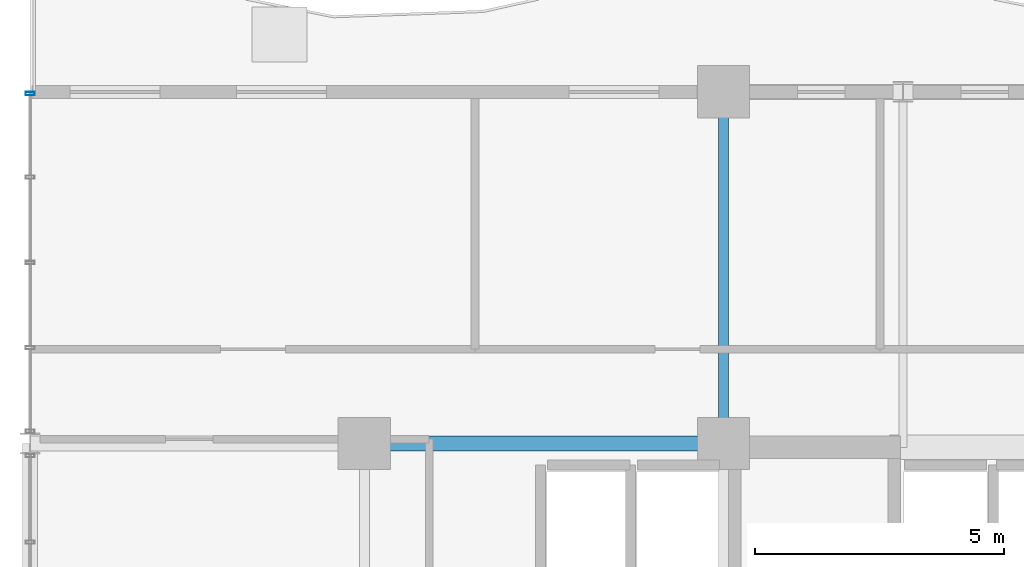
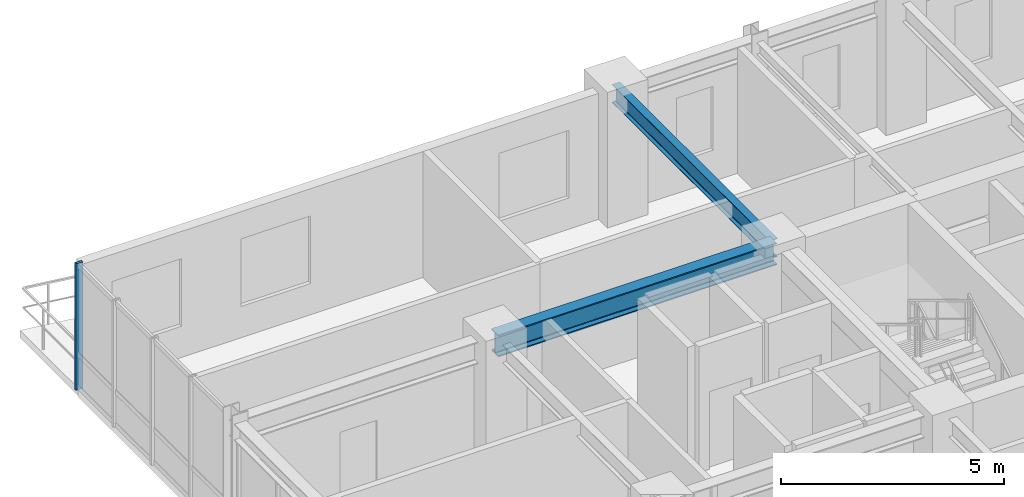
# One storey, part 8 of 19: 2 beams, 1 member, 1 element without a shape of its own.
"""IFC4 building model written with IfcOpenShell, lengths in metres."""

from ifc_helpers import new_model, si_unit, direction, frame, origin, origin_2d, place, context, subcontext, project, spatial, hollow_rectangle, i_section, extrude, source, transform, mapped, material, layer, layer_set, material_profile, profile_set, type_object, element, aggregate, save


model = new_model("IFC4")

# Units and contexts
model_context = context("Model", 3, precision=1e-05, world=origin(), true_north=direction((0.0, 1.0)))
body_context = subcontext(model_context, "Body", "Model", "MODEL_VIEW")
ifc_project = project(units=[si_unit("LENGTHUNIT", "METRE"), si_unit("AREAUNIT", "SQUARE_METRE"), si_unit("VOLUMEUNIT", "CUBIC_METRE"), si_unit("PLANEANGLEUNIT", "RADIAN"), si_unit("MASSUNIT", "GRAM", prefix="KILO")], contexts=[model_context])

# Site, building, storey
site_placement = place(None, origin())
site = spatial("IfcSite", under=ifc_project, at=site_placement, CompositionType="ELEMENT")
building_placement = place(site_placement, origin())
building = spatial("IfcBuilding", under=site, at=building_placement, Name="Kaliganga Portal Commons", CompositionType="ELEMENT")
storey_placement = place(building_placement, frame((0.0, 0.0, 140.199951171875)))
storey = spatial("IfcBuildingStorey", under=building, at=storey_placement, Name="L35", CompositionType="ELEMENT", Elevation=140.199951171875)

# Beams
ifc_material_1 = material(Name="Structural steel S355J2", Category="steel")
ifc_material_profile_1 = material_profile(ifc_material_1, i_section(OverallWidth=0.199951171875, OverallDepth=0.5, WebThickness=0.01025390625, FlangeThickness=0.01611328125, FilletRadius=0.02099609375, at=origin_2d()), Name="IPE 500")
ifc_profile_set_1 = profile_set([ifc_material_profile_1], Name="Structural steel S355J2 wide-flange")
beam_type_1 = type_object("IfcBeamType", Name="BM-FLR-500", PredefinedType="BEAM", material=ifc_profile_set_1)
shared_shape_1 = source(origin(), body_context, "Body", "SweptSolid", [
    extrude(i_section(OverallWidth=0.199951171875, OverallDepth=0.5, WebThickness=0.01025390625, FlangeThickness=0.01611328125, FilletRadius=0.02099609375, at=origin_2d()), origin(), (0.0, 0.0, 1.0), 7.050048828125),
])
beam_1_placement = place(storey_placement, frame((14.39990234375, 36.14990234375, 3.2099609375), z_axis=(0.0, 1.0, 0.0), x_axis=(-1.0, 0.0, 0.0)))
element("IfcBeam", 1, at=beam_1_placement, inside=storey, type_object=beam_type_1, Name="BM G L35 AN144", PredefinedType="BEAM", context=body_context, shape_type="MappedRepresentation", body=[
    mapped(shared_shape_1, transform((0.0, 0.0, 0.0), x_axis=(1.0, 0.0, 0.0), y_axis=(0.0, 1.0, 0.0), z_axis=(0.0, 0.0, 1.0), scale=1.0)),
])
ifc_material_profile_2 = material_profile(ifc_material_1, i_section(OverallWidth=0.300048828125, OverallDepth=0.60009765625, WebThickness=0.015380859375, FlangeThickness=0.030029296875, FilletRadius=0.027099609375, at=origin_2d()), Name="HE 600 B")
ifc_profile_set_2 = profile_set([ifc_material_profile_2], Name="Structural steel S355J2 wide-flange")
beam_type_2 = type_object("IfcBeamType", Name="BM-GIRD-600", PredefinedType="USERDEFINED", material=ifc_profile_set_2)
shared_shape_2 = source(origin(), body_context, "Body", "SweptSolid", [
    extrude(i_section(OverallWidth=0.300048828125, OverallDepth=0.60009765625, WebThickness=0.015380859375, FlangeThickness=0.030029296875, FilletRadius=0.027099609375, at=origin_2d()), origin(), (0.0, 0.0, 1.0), 7.199951171875),
])
beam_2_placement = place(storey_placement, frame((7.199951171875, 36.14990234375, 3.16015625), z_axis=(1.0, 0.0, 0.0), x_axis=(0.0, 1.0, 0.0)))
element("IfcBeam", 2, at=beam_2_placement, inside=storey, type_object=beam_type_2, Name="BM G L35 WAH_N 2", ObjectType="GIRDER", PredefinedType="USERDEFINED", context=body_context, shape_type="MappedRepresentation", body=[
    mapped(shared_shape_2, transform((0.0, 0.0, 0.0), x_axis=(1.0, 0.0, 0.0), y_axis=(0.0, 1.0, 0.0), z_axis=(0.0, 0.0, 1.0), scale=1.0)),
])

# Curtain wall, member
ifc_material_2 = material(Name="Anodized Aluminium and Laminated Low-E Glass", Category="aluminium")
ifc_layer = layer(ifc_material_2, 0.199951171875)
ifc_layer_set = layer_set([ifc_layer], Name="Anodized Aluminium and Laminated Low-E Glass")
curtain_wall_type = type_object("IfcCurtainWallType", Name="CW-SYS-02", PredefinedType="NOTDEFINED", material=ifc_layer_set)
curtain_wall_placement = place(storey_placement, origin())
curtain_wall = element("IfcCurtainWall", 3, at=curtain_wall_placement, inside=storey, type_object=curtain_wall_type, Name="CW 02 L35 P1E03S1", PredefinedType="NOTDEFINED")
ifc_material_3 = material(Name="Dark Bronze Anodized Aluminium", Category="aluminium")
ifc_material_profile_3 = material_profile(ifc_material_3, hollow_rectangle(XDim=0.06494140625, YDim=0.179931640625, WallThickness=0.00390625, at=origin_2d()), Name="ALU MULL 65x180x4")
ifc_profile_set_3 = profile_set([ifc_material_profile_3], Name="Dark Bronze Anodized Aluminium")
member_type = type_object("IfcMemberType", Name="CW-MUL-180", PredefinedType="MULLION", material=ifc_profile_set_3)
shared_shape_3 = source(origin(), body_context, "Body", "SweptSolid", [
    extrude(hollow_rectangle(XDim=0.06494140625, YDim=0.179931640625, WallThickness=0.00390625, at=origin_2d()), origin(), (0.0, 0.0, 1.0), 3.4599609375),
])
member_placement = place(storey_placement, frame((0.5, 43.1650390625, 0.0), z_axis=(0.0, 0.0, 1.0), x_axis=(0.0, -1.0, 0.0)))
member = element("IfcMember", 4, at=member_placement, type_object=member_type, Name="CW:02:L35:P1E03S1 Mullion 00", PredefinedType="MULLION", context=body_context, shape_type="MappedRepresentation", body=[
    mapped(shared_shape_3, transform((0.0, 0.0, 0.0), x_axis=(1.0, 0.0, 0.0), y_axis=(0.0, 1.0, 0.0), z_axis=(0.0, 0.0, 1.0), scale=1.0)),
])
aggregate(curtain_wall, [member])

save(model, "model.ifc")
